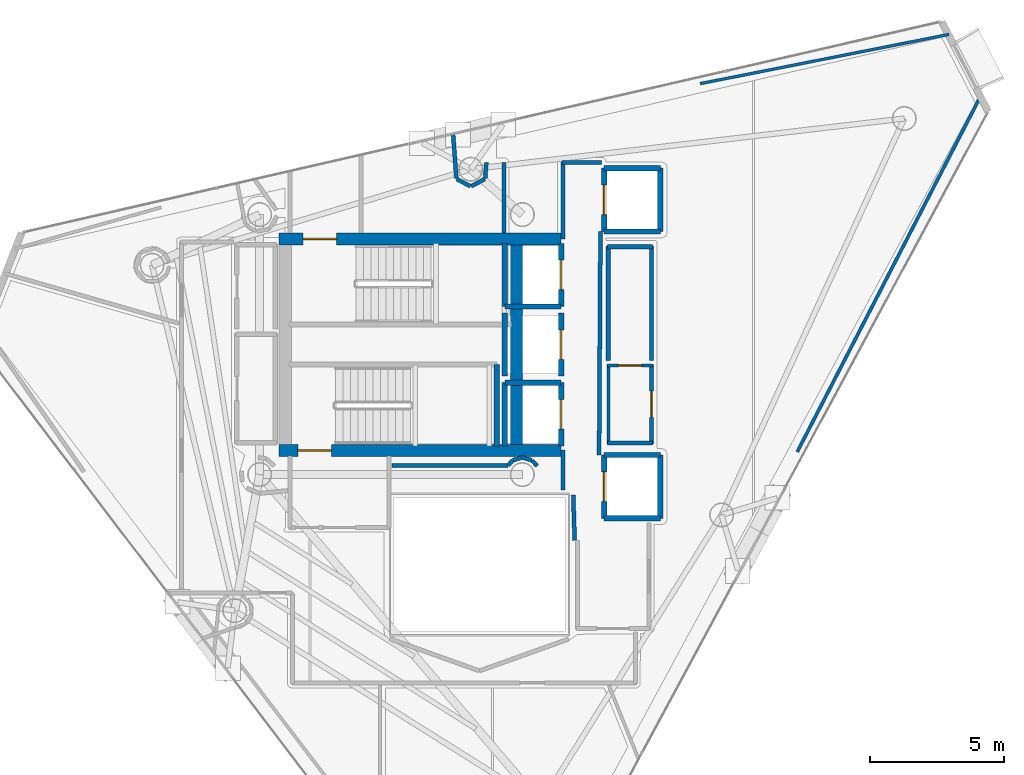
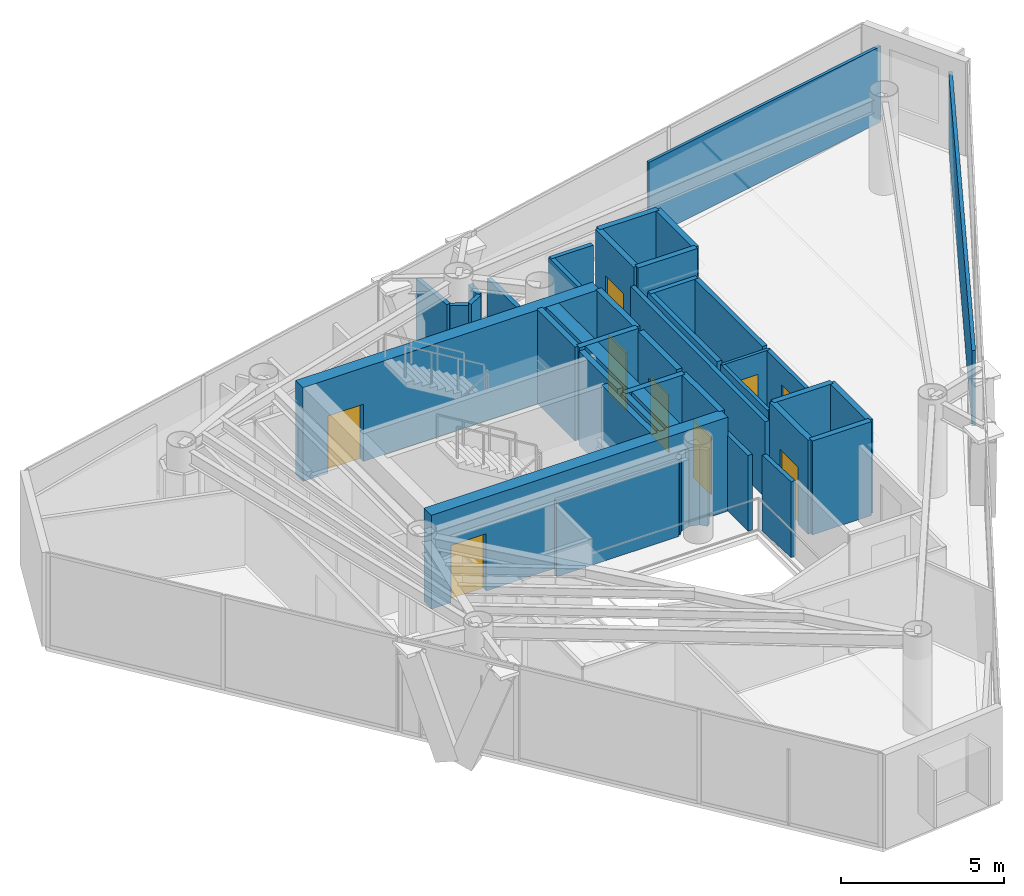
# One storey, part 20 of 24: 44 walls, 9 doors, 9 openings.
"""IFC4 building model written with IfcOpenShell, lengths in metres."""

import ifcopenshell
import ifcopenshell.guid

model = None  # the IFC model being written
_history = None  # IfcOwnerHistory: only IFC2X3 demands one
_inside = {}  # id of a spatial element -> (the spatial element, [elements in it])
_under = {}  # id of a project, library or spatial element -> (it, [spatial elements below it])
_declared = {}  # id of a project -> (the project, [libraries it declares])
_typed = {}  # id of a type object -> (the type object, [elements of that type])
_made_of = {}  # id of a material, layer set ... -> (it, [elements and type objects made of it])


def new_model(schema):
    """Start an empty IFC model of exactly this schema.

    Asked for "IFC4X3", IfcOpenShell would pick the latest addendum, in which some entities
    have other attributes; the version numbers below select the first issue.
    IFC2X3 requires an IfcOwnerHistory on every rooted entity: one is made here for all.
    """
    global model, _history
    if schema == "IFC4X3":
        model = ifcopenshell.file(schema_version=(4, 3, 0, 0))
    else:
        model = ifcopenshell.file(schema=schema)
    _inside.clear()
    _under.clear()
    _declared.clear()
    _typed.clear()
    _made_of.clear()
    _history = None
    if model.schema == "IFC2X3":
        org = make("IfcOrganization", Name="unknown")
        user = make(
            "IfcPersonAndOrganization",
            ThePerson=make("IfcPerson", FamilyName="unknown"),
            TheOrganization=org,
        )
        app = make(
            "IfcApplication",
            ApplicationDeveloper=org,
            Version="unknown",
            ApplicationFullName="unknown",
            ApplicationIdentifier="unknown",
        )
        _history = make(
            "IfcOwnerHistory",
            OwningUser=user,
            OwningApplication=app,
            ChangeAction="ADDED",
            CreationDate=0,
        )
    return model


def make(cls, **values):
    """One entity of the class cls with the attributes given. An attribute that is None is left unset."""
    return model.create_entity(
        cls, **{name: value for name, value in values.items() if value is not None}
    )


def rooted(cls, **values):
    """An entity with a GlobalId (a new one), such as an element, a storey or a relation."""
    return make(cls, GlobalId=ifcopenshell.guid.new(), OwnerHistory=_history, **values)


def si_unit(unit_type, name, prefix=None):
    """IfcSIUnit, for example si_unit("LENGTHUNIT", "METRE", prefix="MILLI")."""
    return make("IfcSIUnit", UnitType=unit_type, Prefix=prefix, Name=name)


def assignment(units):
    """IfcUnitAssignment: the units of a project."""
    return None if units is None else make("IfcUnitAssignment", Units=units)


def point(xyz):
    """IfcCartesianPoint."""
    return None if xyz is None else make("IfcCartesianPoint", Coordinates=xyz)


def direction(xyz):
    """IfcDirection."""
    return None if xyz is None else make("IfcDirection", DirectionRatios=xyz)


def frame(location, z_axis=None, x_axis=None):
    """IfcAxis2Placement3D, a coordinate frame: its origin and axes. An axis left out is left unset."""
    return make(
        "IfcAxis2Placement3D",
        Location=point(location),
        Axis=direction(z_axis),
        RefDirection=direction(x_axis),
    )


def frame_2d(location, x_axis=None):
    """IfcAxis2Placement2D, a coordinate frame in the plane: its origin and x axis."""
    return make(
        "IfcAxis2Placement2D", Location=point(location), RefDirection=direction(x_axis)
    )


def origin():
    """The frame at (0, 0, 0) with its axes left unset."""
    return frame((0.0, 0.0, 0.0))


def place(relative_to, where):
    """IfcLocalPlacement: puts the frame where relative to a parent placement (None: the world)."""
    return make(
        "IfcLocalPlacement", PlacementRelTo=relative_to, RelativePlacement=where
    )


def context(
    kind, dimensions, precision=None, world=None, true_north=None, identifier=None
):
    """IfcGeometricRepresentationContext, for example the 3D "Model" context."""
    return make(
        "IfcGeometricRepresentationContext",
        ContextIdentifier=identifier,
        ContextType=kind,
        CoordinateSpaceDimension=dimensions,
        Precision=precision,
        WorldCoordinateSystem=world,
        TrueNorth=true_north,
    )


def subcontext(parent, identifier, kind, view, scale=None):
    """IfcGeometricRepresentationSubContext, for example "Body" below "Model"."""
    return make(
        "IfcGeometricRepresentationSubContext",
        ContextIdentifier=identifier,
        ContextType=kind,
        ParentContext=parent,
        TargetScale=scale,
        TargetView=view,
    )


def project(units=None, contexts=None):
    """IfcProject with its units and contexts."""
    return rooted(
        "IfcProject",
        Name="project",
        RepresentationContexts=contexts,
        UnitsInContext=assignment(units),
    )


def spatial(cls, under=None, at=None, **own):
    """A site, building, storey or space (cls), placed at a placement, below another one or the project."""
    s = rooted(cls, ObjectPlacement=at, **own)
    if under is not None:
        _under.setdefault(under.id(), (under, []))[1].append(s)
    return s


def profile(cls, at=None, kind="AREA", **sizes):
    """A parametric profile (cls). Its sizes go by their IFC names, for example OverallWidth=200.0."""
    return make(cls, ProfileType=kind, Position=at, **sizes)


def rectangle(**sizes):
    """IfcRectangleProfileDef."""
    return profile("IfcRectangleProfileDef", **sizes)


def extrude(swept, where, along, depth):
    """IfcExtrudedAreaSolid: the profile swept, set in the frame where, extruded along a direction by depth."""
    return make(
        "IfcExtrudedAreaSolid",
        SweptArea=swept,
        Position=where,
        ExtrudedDirection=direction(along),
        Depth=depth,
    )


def shape(context_of_items, identifier, shape_type, items):
    """IfcShapeRepresentation: the items that make up one representation, for example the "Body"."""
    return make(
        "IfcShapeRepresentation",
        ContextOfItems=context_of_items,
        RepresentationIdentifier=identifier,
        RepresentationType=shape_type,
        Items=items,
    )


def material(Name=None, Category=None):
    """IfcMaterial."""
    return make("IfcMaterial", Name=Name, Category=Category)


def layer(
    of_material, thickness, ventilated=None, Name=None, Category=None, Priority=None
):
    """IfcMaterialLayer: one layer of a wall or slab, of a material (None: an air gap)."""
    return make(
        "IfcMaterialLayer",
        Material=of_material,
        LayerThickness=thickness,
        IsVentilated=ventilated,
        Name=Name,
        Category=Category,
        Priority=Priority,
    )


def layer_set(layers, Name=None):
    """IfcMaterialLayerSet."""
    return make("IfcMaterialLayerSet", MaterialLayers=layers, LayerSetName=Name)


def made_of(thing, what):
    """Note that an element or type object is made of a material, layer set ...; save() writes the relation."""
    if what is not None:
        _made_of.setdefault(what.id(), (what, []))[1].append(thing)
    return thing


def type_object(cls, material=None, **own):
    """A type object (cls), such as IfcWallType, which elements share."""
    return made_of(rooted(cls, **own), material)


def element(
    cls,
    number,
    at=None,
    inside=None,
    cuts=None,
    type_object=None,
    material=None,
    context=None,
    identifier="Body",
    shape_type=None,
    held_by="IfcProductDefinitionShape",
    body=None,
    shapes=None,
    **own,
):
    """One element of the class cls, such as IfcWall. Its Tag is "e" and its number.

    at: its placement. inside: the storey or other place that contains it. cuts: it is an
    opening in that element (IfcRelVoidsElement). A single representation is given by context,
    identifier, shape_type and body (its items); several are given by shapes. held_by: the class
    of the entity that holds the representations. save() writes the other relations.
    """
    e = rooted(cls, Tag="e%d" % number, ObjectPlacement=at, **own)
    if body is not None:
        shapes = [shape(context, identifier, shape_type, body)]
    if shapes is not None:
        e.Representation = make(held_by, Representations=shapes)
    if inside is not None:
        _inside.setdefault(inside.id(), (inside, []))[1].append(e)
    if cuts is not None:
        rooted(
            "IfcRelVoidsElement", RelatingBuildingElement=cuts, RelatedOpeningElement=e
        )
    if type_object is not None:
        _typed.setdefault(type_object.id(), (type_object, []))[1].append(e)
    return made_of(e, material)


def fill(opening, filler):
    """IfcRelFillsElement: the door or window that sits in an opening."""
    return rooted(
        "IfcRelFillsElement",
        RelatingOpeningElement=opening,
        RelatedBuildingElement=filler,
    )


def aggregate(whole, parts):
    """IfcRelAggregates: a whole, such as a stair, and the parts it consists of."""
    return rooted("IfcRelAggregates", RelatingObject=whole, RelatedObjects=parts)


def save(model, path):
    """Write the relations noted so far, then the file.

    IfcRelAggregates (storeys below a building ...), IfcRelContainedInSpatialStructure (elements
    in a storey), IfcRelDefinesByType, IfcRelAssociatesMaterial and IfcRelDeclares: one each for
    every whole, place, type object, material and project.
    """
    for whole, parts in _under.values():
        aggregate(whole, parts)
    for where, things in _inside.values():
        rooted(
            "IfcRelContainedInSpatialStructure",
            RelatedElements=things,
            RelatingStructure=where,
        )
    for kind, things in _typed.values():
        rooted("IfcRelDefinesByType", RelatedObjects=things, RelatingType=kind)
    for what, things in _made_of.values():
        rooted("IfcRelAssociatesMaterial", RelatedObjects=things, RelatingMaterial=what)
    for by, libraries in _declared.values():
        rooted("IfcRelDeclares", RelatingContext=by, RelatedDefinitions=libraries)
    model.write(path)


model = new_model("IFC4")

# Units and contexts
model_context = context("Model", 3, precision=1e-05, world=origin(), true_north=direction((0.0, 1.0)))
body_context = subcontext(model_context, "Body", "Model", "MODEL_VIEW")
ifc_project = project(units=[si_unit("LENGTHUNIT", "METRE"), si_unit("AREAUNIT", "SQUARE_METRE"), si_unit("VOLUMEUNIT", "CUBIC_METRE"), si_unit("PLANEANGLEUNIT", "RADIAN"), si_unit("MASSUNIT", "GRAM", prefix="KILO")], contexts=[model_context])

# Site, building, storey
site_placement = place(None, origin())
site = spatial("IfcSite", under=ifc_project, at=site_placement, CompositionType="ELEMENT")
building_placement = place(site_placement, origin())
building = spatial("IfcBuilding", under=site, at=building_placement, Name="Qianvela Tower", CompositionType="ELEMENT")
storey_placement = place(building_placement, frame((0.0, 0.0, 306.5)))
storey = spatial("IfcBuildingStorey", under=building, at=storey_placement, Name="L79", CompositionType="ELEMENT", Elevation=306.5)

# Wall, opening, door
ifc_material_1 = material(Name="Concrete C50", Category="concrete")
ifc_layer_1 = layer(ifc_material_1, 0.449951171875)
ifc_layer_set_1 = layer_set([ifc_layer_1], Name="Concrete C50")
wall_type_1 = type_object("IfcWallType", Name="WT-CORE-450", PredefinedType="SHEAR", material=ifc_layer_set_1)
wall_1_placement = place(storey_placement, frame((29.330078125, 32.64501953125, 0.0), z_axis=(0.0, 0.0, 1.0), x_axis=(1.0, 0.0, 0.0)))
wall_1 = element("IfcWall", 1, at=wall_1_placement, inside=storey, type_object=wall_type_1, Name="L79 North Core Shear Wall", PredefinedType="SHEAR", context=body_context, shape_type="SweptSolid", body=[
    extrude(rectangle(XDim=10.52001953125, YDim=0.449951171875, at=frame_2d((5.260009765625, 0.0))), origin(), (0.0, 0.0, 1.0), 3.52001953125),
])
opening_1_placement = place(wall_1_placement, frame((0.89501953125, 0.0, 0.0)))
opening_1 = element("IfcOpeningElement", 2, at=opening_1_placement, cuts=wall_1, Name="Opening D-ST1", PredefinedType="OPENING", context=body_context, shape_type="SweptSolid", body=[
    extrude(rectangle(XDim=1.25, YDim=2.14990234375, at=frame_2d((0.625, 1.074951171875))), frame((0.0, 0.23486328125, 0.0), z_axis=(0.0, -1.0, 0.0), x_axis=(1.0, 0.0, 0.0)), (0.0, 0.0, 1.0), 0.469970703125),
])
ifc_material_2 = material(Name="Galvanised Fire Steel Q355B", Category="steel")
door_type_1 = type_object("IfcDoorType", Name="DT-STAIR-FD90", OperationType="NOTDEFINED", PredefinedType="DOOR", material=ifc_material_2)
door_1_placement = place(opening_1_placement, origin())
door_1 = element("IfcDoor", 3, at=door_1_placement, inside=storey, type_object=door_type_1, Name="L79 Stair ST-1 Exit Door", OperationType="SINGLE_SWING_RIGHT", OverallHeight=2.14990234375, OverallWidth=1.25, PredefinedType="DOOR", context=body_context, shape_type="SweptSolid", body=[
    extrude(rectangle(XDim=1.25, YDim=2.14990234375, at=frame_2d((0.625, 1.074951171875))), frame((0.0, 0.02490234375, 0.0), z_axis=(0.0, -1.0, 0.0), x_axis=(1.0, 0.0, 0.0)), (0.0, 0.0, 1.0), 0.050048828125),
])
fill(opening_1, door_1)

wall_2_placement = place(storey_placement, frame((29.330078125, 24.7548828125, 0.0), z_axis=(0.0, 0.0, 1.0), x_axis=(1.0, 0.0, 0.0)))
wall_2 = element("IfcWall", 4, at=wall_2_placement, inside=storey, type_object=wall_type_1, Name="L79 South Core Shear Wall", PredefinedType="SHEAR", context=body_context, shape_type="SweptSolid", body=[
    extrude(rectangle(XDim=10.52001953125, YDim=0.449951171875, at=frame_2d((5.260009765625, 0.0))), origin(), (0.0, 0.0, 1.0), 3.52001953125),
])
opening_2_placement = place(wall_2_placement, frame((0.695068359375, 0.0, 0.0)))
opening_2 = element("IfcOpeningElement", 5, at=opening_2_placement, cuts=wall_2, Name="Opening D-ST1", PredefinedType="OPENING", context=body_context, shape_type="SweptSolid", body=[
    extrude(rectangle(XDim=1.25, YDim=2.14990234375, at=frame_2d((0.625, 1.074951171875))), frame((0.0, 0.23486328125, 0.0), z_axis=(0.0, -1.0, 0.0), x_axis=(1.0, 0.0, 0.0)), (0.0, 0.0, 1.0), 0.469970703125),
])
door_2_placement = place(opening_2_placement, origin())
door_2 = element("IfcDoor", 6, at=door_2_placement, inside=storey, type_object=door_type_1, Name="L79 Stair ST-2 Exit Door", OperationType="SINGLE_SWING_LEFT", OverallHeight=2.14990234375, OverallWidth=1.25, PredefinedType="DOOR", context=body_context, shape_type="SweptSolid", body=[
    extrude(rectangle(XDim=1.25, YDim=2.14990234375, at=frame_2d((0.625, 1.074951171875))), frame((0.0, 0.02490234375, 0.0), z_axis=(0.0, -1.0, 0.0), x_axis=(1.0, 0.0, 0.0)), (0.0, 0.0, 1.0), 0.050048828125),
])
fill(opening_2, door_2)

# Walls
wall_3_placement = place(storey_placement, frame((38.179931640625, 24.97998046875, 0.0), z_axis=(0.0, 0.0, 1.0), x_axis=(0.0, 1.0, 0.0)))
element("IfcWall", 7, at=wall_3_placement, inside=storey, type_object=wall_type_1, Name="L79 East Spine Core Shear Wall", PredefinedType="SHEAR", context=body_context, shape_type="SweptSolid", body=[
    extrude(rectangle(XDim=7.43994140625, YDim=0.449951171875, at=frame_2d((3.719970703125, 0.0))), origin(), (0.0, 0.0, 1.0), 3.52001953125),
])
ifc_material_3 = material(Name="Fire-Rated Acoustic Gypsum Board")
ifc_layer_2 = layer(ifc_material_3, 0.14990234375)
ifc_layer_set_2 = layer_set([ifc_layer_2], Name="Fire-Rated Acoustic Gypsum Board")
wall_type_2 = type_object("IfcWallType", Name="WT-CORR-150", PredefinedType="PARTITIONING", material=ifc_layer_set_2)
wall_4_placement = place(storey_placement, frame((40.35107421875, 21.40087890625, 0.0), z_axis=(0.0, 0.0, 1.0), x_axis=(-0.031058045979, 0.999517582527, 0.0)))
element("IfcWall", 8, at=wall_4_placement, inside=storey, type_object=wall_type_2, Name="L79 Partition 9", PredefinedType="PARTITIONING", context=body_context, shape_type="SweptSolid", body=[
    extrude(rectangle(XDim=1.68212890625, YDim=0.14990234375, at=frame_2d((0.841064453125, 0.0))), origin(), (0.0, 0.0, 1.0), 2.840087890625),
])
wall_5_placement = place(storey_placement, frame((39.910888671875, 23.280029296875, 0.0), z_axis=(0.0, 0.0, 1.0), x_axis=(0.0, 1.0, 0.0)))
element("IfcWall", 9, at=wall_5_placement, inside=storey, type_object=wall_type_2, Name="L79 Partition 10", PredefinedType="PARTITIONING", context=body_context, shape_type="SweptSolid", body=[
    extrude(rectangle(XDim=1.47998046875, YDim=0.14990234375, at=frame_2d((0.739990234375, 0.0))), origin(), (0.0, 0.0, 1.0), 2.840087890625),
])
wall_6_placement = place(storey_placement, frame((39.910888671875, 32.639892578125, 0.0), z_axis=(0.0, 0.0, 1.0), x_axis=(0.0, 1.0, 0.0)))
element("IfcWall", 10, at=wall_6_placement, inside=storey, type_object=wall_type_2, Name="L79 Partition 12", PredefinedType="PARTITIONING", context=body_context, shape_type="SweptSolid", body=[
    extrude(rectangle(XDim=2.880126953125, YDim=0.14990234375, at=frame_2d((1.43994140625, 0.0))), origin(), (0.0, 0.0, 1.0), 2.840087890625),
])
wall_7_placement = place(storey_placement, frame((39.8798828125, 35.489013671875, 0.0), z_axis=(0.0, 0.0, 1.0), x_axis=(1.0, 0.0, 0.0)))
element("IfcWall", 11, at=wall_7_placement, inside=storey, type_object=wall_type_2, Name="L79 Partition 13", PredefinedType="PARTITIONING", context=body_context, shape_type="SweptSolid", body=[
    extrude(rectangle(XDim=1.480224609375, YDim=0.14990234375, at=frame_2d((0.740234375, 0.0))), origin(), (0.0, 0.0, 1.0), 2.840087890625),
])
wall_8_placement = place(storey_placement, frame((41.3134765625, 32.919921875, 0.0), z_axis=(0.0, 0.0, 1.0), x_axis=(-0.005942518022, -0.999982343084, 0.0)))
element("IfcWall", 12, at=wall_8_placement, inside=storey, type_object=wall_type_2, Name="L79 Partition 14 seg 2", PredefinedType="PARTITIONING", context=body_context, shape_type="SweptSolid", body=[
    extrude(rectangle(XDim=8.340087890625, YDim=0.14990234375, at=frame_2d((4.169921875, 0.0))), origin(), (0.0, 0.0, 1.0), 2.840087890625),
])
wall_9_placement = place(storey_placement, frame((38.950927734375, 24.1708984375, 0.0), z_axis=(0.0, 0.0, 1.0), x_axis=(-0.674186852077, 0.738560822469, 0.0)))
element("IfcWall", 13, at=wall_9_placement, inside=storey, type_object=wall_type_2, Name="L79 Partition 37", PredefinedType="PARTITIONING", context=body_context, shape_type="SweptSolid", body=[
    extrude(rectangle(XDim=0.28076171875, YDim=0.14990234375, at=frame_2d((0.140380859375, 0.0))), origin(), (0.0, 0.0, 1.0), 2.840087890625),
])
wall_10_placement = place(storey_placement, frame((38.747802734375, 24.386962890625, 0.0), z_axis=(0.0, 0.0, 1.0), x_axis=(-0.956948991291, 0.290256142171, 0.0)))
element("IfcWall", 14, at=wall_10_placement, inside=storey, type_object=wall_type_2, Name="L79 Partition 38", PredefinedType="PARTITIONING", context=body_context, shape_type="SweptSolid", body=[
    extrude(rectangle(XDim=0.35400390625, YDim=0.14990234375, at=frame_2d((0.177001953125, 0.0))), origin(), (0.0, 0.0, 1.0), 2.840087890625),
])
wall_11_placement = place(storey_placement, frame((38.39111328125, 24.48974609375, 0.0), z_axis=(0.0, 0.0, 1.0), x_axis=(-0.957007018611, -0.290064762301, 0.0)))
element("IfcWall", 15, at=wall_11_placement, inside=storey, type_object=wall_type_2, Name="L79 Partition 39", PredefinedType="PARTITIONING", context=body_context, shape_type="SweptSolid", body=[
    extrude(rectangle(XDim=0.354248046875, YDim=0.14990234375, at=frame_2d((0.17724609375, 0.0))), origin(), (0.0, 0.0, 1.0), 2.840087890625),
])
wall_12_placement = place(storey_placement, frame((38.0380859375, 24.378173828125, 0.0), z_axis=(0.0, 0.0, 1.0), x_axis=(-0.673658387955, -0.739042878551, 0.0)))
element("IfcWall", 16, at=wall_12_placement, inside=storey, type_object=wall_type_2, Name="L79 Partition 40", PredefinedType="PARTITIONING", context=body_context, shape_type="SweptSolid", body=[
    extrude(rectangle(XDim=0.246337890625, YDim=0.14990234375, at=frame_2d((0.123046875, 0.0))), origin(), (0.0, 0.0, 1.0), 2.840087890625),
])
wall_13_placement = place(storey_placement, frame((37.8720703125, 24.180908203125, 0.0), z_axis=(0.0, 0.0, 1.0), x_axis=(-1.0, 0.0, 0.0)))
element("IfcWall", 17, at=wall_13_placement, inside=storey, type_object=wall_type_2, Name="L79 Partition 41", PredefinedType="PARTITIONING", context=body_context, shape_type="SweptSolid", body=[
    extrude(rectangle(XDim=4.342041015625, YDim=0.14990234375, at=frame_2d((2.1708984375, 0.0))), origin(), (0.0, 0.0, 1.0), 2.840087890625),
])
wall_14_placement = place(storey_placement, frame((35.814208984375, 36.585205078125, 0.0), z_axis=(0.0, 0.0, 1.0), x_axis=(0.073333558688, -0.997307469725, 0.0)))
element("IfcWall", 18, at=wall_14_placement, inside=storey, type_object=wall_type_2, Name="L79 Partition 56", PredefinedType="PARTITIONING", context=body_context, shape_type="SweptSolid", body=[
    extrude(rectangle(XDim=1.68798828125, YDim=0.14990234375, at=frame_2d((0.843994140625, 0.0))), origin(), (0.0, 0.0, 1.0), 2.840087890625),
])
for number, where, z_axis, x_axis, name in (
    (19, (35.9541015625, 34.876708984375, 0.0), (0.0, 0.0, 1.0), (0.882047254832, -0.471160949405, 0.0), "L79 Partition 57"),
    (20, (36.490478515625, 34.605712890625, 0.0), (0.0, 0.0, 1.0), (0.882047254832, 0.471160949405, 0.0), "L79 Partition 58"),
):
    element("IfcWall", number, at=place(storey_placement, frame(where, z_axis=z_axis, x_axis=x_axis)), inside=storey, type_object=wall_type_2, Name=name, PredefinedType="PARTITIONING", context=body_context, shape_type="SweptSolid", body=[
        extrude(rectangle(XDim=0.5751953125, YDim=0.14990234375, at=frame_2d((0.28759765625, 0.0))), origin(), (0.0, 0.0, 1.0), 2.840087890625),
    ])
wall_15_placement = place(storey_placement, frame((37.01416015625, 34.90185546875, 0.0), z_axis=(0.0, 0.0, 1.0), x_axis=(0.073134230676, 0.997322106595, 0.0)))
element("IfcWall", 21, at=wall_15_placement, inside=storey, type_object=wall_type_2, Name="L79 Partition 59", PredefinedType="PARTITIONING", context=body_context, shape_type="SweptSolid", body=[
    extrude(rectangle(XDim=0.59765625, YDim=0.14990234375, at=frame_2d((0.298828125, 0.0))), origin(), (0.0, 0.0, 1.0), 2.840087890625),
])
wall_16_placement = place(storey_placement, frame((37.718994140625, 35.5, 0.0), z_axis=(0.0, 0.0, 1.0), x_axis=(0.0, -1.0, 0.0)))
element("IfcWall", 22, at=wall_16_placement, inside=storey, type_object=wall_type_2, Name="L79 Partition 61", PredefinedType="PARTITIONING", context=body_context, shape_type="SweptSolid", body=[
    extrude(rectangle(XDim=2.64208984375, YDim=0.14990234375, at=frame_2d((1.321044921875, 0.0))), origin(), (0.0, 0.0, 1.0), 2.840087890625),
])

# Wall, opening, door
ifc_material_4 = material(Name="Lightweight Gypsum Room Partition")
ifc_layer_3 = layer(ifc_material_4, 0.10498046875)
ifc_layer_set_3 = layer_set([ifc_layer_3], Name="Lightweight Gypsum Room Partition")
wall_type_3 = type_object("IfcWallType", Name="WT-PART-105", PredefinedType="PARTITIONING", material=ifc_layer_set_3)
wall_17_placement = place(storey_placement, frame((41.580078125, 27.9189453125, 0.0), z_axis=(0.0, 0.0, 1.0), x_axis=(1.0, 0.0, 0.0)))
wall_17 = element("IfcWall", 23, at=wall_17_placement, inside=storey, type_object=wall_type_3, Name="L79 Partition 21", PredefinedType="PARTITIONING", context=body_context, shape_type="SweptSolid", body=[
    extrude(rectangle(XDim=1.669921875, YDim=0.10498046875, at=frame_2d((0.8349609375, 0.0))), origin(), (0.0, 0.0, 1.0), 2.840087890625),
])
opening_3_placement = place(wall_17_placement, frame((0.405029296875, 0.0, 0.0)))
opening_3 = element("IfcOpeningElement", 24, at=opening_3_placement, cuts=wall_17, Name="Opening D-WC1", PredefinedType="OPENING", context=body_context, shape_type="SweptSolid", body=[
    extrude(rectangle(XDim=0.860107421875, YDim=2.050048828125, at=frame_2d((0.43017578125, 1.02490234375))), frame((0.0, 0.0625, 0.0), z_axis=(0.0, -1.0, 0.0), x_axis=(1.0, 0.0, 0.0)), (0.0, 0.0, 1.0), 0.125),
])
ifc_material_5 = material(Name="Moisture-Sealed Acoustic Timber Door", Category="wood")
door_type_2 = type_object("IfcDoorType", Name="DT-WC-860", OperationType="NOTDEFINED", PredefinedType="DOOR", material=ifc_material_5)
door_3_placement = place(opening_3_placement, origin())
door_3 = element("IfcDoor", 25, at=door_3_placement, inside=storey, type_object=door_type_2, Name="L79 Door L79 Accessible WC to L79 Cleaner Store", OperationType="SINGLE_SWING_RIGHT", OverallHeight=2.050048828125, OverallWidth=0.860107421875, PredefinedType="DOOR", context=body_context, shape_type="SweptSolid", body=[
    extrude(rectangle(XDim=0.860107421875, YDim=2.050048828125, at=frame_2d((0.43017578125, 1.02490234375))), frame((0.0, 0.02490234375, 0.0), z_axis=(0.0, -1.0, 0.0), x_axis=(1.0, 0.0, 0.0)), (0.0, 0.0, 1.0), 0.050048828125),
])
fill(opening_3, door_3)

# Walls
wall_18_placement = place(storey_placement, frame((45.037841796875, 38.435791015625, 0.0), z_axis=(0.0, 0.0, 1.0), x_axis=(0.980972748149, 0.194145479962, 0.0)))
element("IfcWall", 26, at=wall_18_placement, inside=storey, type_object=wall_type_3, Name="L79 Partition 99 seg 1", PredefinedType="PARTITIONING", context=body_context, shape_type="SweptSolid", body=[
    extrude(rectangle(XDim=9.460205078125, YDim=0.10498046875, at=frame_2d((4.72998046875, 0.0))), origin(), (0.0, 0.0, 1.0), 2.840087890625),
])
ifc_material_6 = material(Name="Insulated Gypsum Stud Partition")
ifc_layer_4 = layer(ifc_material_6, 0.1201171875)
ifc_layer_set_4 = layer_set([ifc_layer_4], Name="Insulated Gypsum Stud Partition")
wall_type_4 = type_object("IfcWallType", Name="WT-PART-120", PredefinedType="PARTITIONING", material=ifc_layer_set_4)
wall_19_placement = place(storey_placement, frame((41.611083984375, 25.0, 0.0), z_axis=(0.0, 0.0, 1.0), x_axis=(0.0, 1.0, 0.0)))
element("IfcWall", 27, at=wall_19_placement, inside=storey, type_object=wall_type_4, Name="L79 Partition 20", PredefinedType="PARTITIONING", context=body_context, shape_type="SweptSolid", body=[
    extrude(rectangle(XDim=2.949951171875, YDim=0.1201171875, at=frame_2d((1.47509765625, 0.0))), origin(), (0.0, 0.0, 1.0), 2.840087890625),
])
wall_20_placement = place(storey_placement, frame((55.498779296875, 37.974365234375, 0.0), z_axis=(0.0, 0.0, 1.0), x_axis=(-0.458180813105, -0.8888590116, 0.0)))
element("IfcWall", 28, at=wall_20_placement, inside=storey, type_object=wall_type_4, Name="L79 Partition 101 seg 1", PredefinedType="PARTITIONING", context=body_context, shape_type="SweptSolid", body=[
    extrude(rectangle(XDim=14.93994140625, YDim=0.1201171875, at=frame_2d((7.469970703125, 0.0))), origin(), (0.0, 0.0, 1.0), 2.840087890625),
])
ifc_material_7 = material(Name="Sanitary Service Chase Partition")
ifc_layer_5 = layer(ifc_material_7, 0.1650390625)
ifc_layer_set_5 = layer_set([ifc_layer_5], Name="Sanitary Service Chase Partition")
wall_type_5 = type_object("IfcWallType", Name="WT-PLUMB-165", PredefinedType="PLUMBINGWALL", material=ifc_layer_set_5)
wall_21_placement = place(storey_placement, frame((41.611083984375, 28.110107421875, 0.0), z_axis=(0.0, 0.0, 1.0), x_axis=(0.0, 1.0, 0.0)))
element("IfcWall", 29, at=wall_21_placement, inside=storey, type_object=wall_type_5, Name="L79 Partition 24", PredefinedType="PLUMBINGWALL", context=body_context, shape_type="SweptSolid", body=[
    extrude(rectangle(XDim=4.269775390625, YDim=0.1650390625, at=frame_2d((2.134765625, 0.0))), origin(), (0.0, 0.0, 1.0), 2.840087890625),
])
wall_22_placement = place(storey_placement, frame((41.580078125, 32.34912109375, 0.0), z_axis=(0.0, 0.0, 1.0), x_axis=(1.0, 0.0, 0.0)))
element("IfcWall", 30, at=wall_22_placement, inside=storey, type_object=wall_type_5, Name="L79 Partition 25", PredefinedType="PLUMBINGWALL", context=body_context, shape_type="SweptSolid", body=[
    extrude(rectangle(XDim=1.669921875, YDim=0.1650390625, at=frame_2d((0.8349609375, 0.0))), origin(), (0.0, 0.0, 1.0), 2.840087890625),
])
wall_23_placement = place(storey_placement, frame((43.218994140625, 32.3798828125, 0.0), z_axis=(0.0, 0.0, 1.0), x_axis=(0.0, -1.0, 0.0)))
element("IfcWall", 31, at=wall_23_placement, inside=storey, type_object=wall_type_5, Name="L79 Partition 26", PredefinedType="PLUMBINGWALL", context=body_context, shape_type="SweptSolid", body=[
    extrude(rectangle(XDim=4.269775390625, YDim=0.1650390625, at=frame_2d((2.134765625, 0.0))), origin(), (0.0, 0.0, 1.0), 2.840087890625),
])
ifc_material_8 = material(Name="Acoustic Double Gypsum Stud Partition")
ifc_layer_6 = layer(ifc_material_8, 0.139892578125)
ifc_layer_set_6 = layer_set([ifc_layer_6], Name="Acoustic Double Gypsum Stud Partition")
wall_type_6 = type_object("IfcWallType", Name="WT-ROOM-140", PredefinedType="PARTITIONING", material=ifc_layer_set_6)
wall_24_placement = place(storey_placement, frame((43.25, 25.031005859375, 0.0), z_axis=(0.0, 0.0, 1.0), x_axis=(-1.0, 0.0, 0.0)))
element("IfcWall", 32, at=wall_24_placement, inside=storey, type_object=wall_type_6, Name="L79 Partition 19", PredefinedType="PARTITIONING", context=body_context, shape_type="SweptSolid", body=[
    extrude(rectangle(XDim=1.669921875, YDim=0.139892578125, at=frame_2d((0.8349609375, 0.0))), origin(), (0.0, 0.0, 1.0), 2.840087890625),
])

# Wall, opening, door
wall_25_placement = place(storey_placement, frame((43.218994140625, 27.949951171875, 0.0), z_axis=(0.0, 0.0, 1.0), x_axis=(0.0, -1.0, 0.0)))
wall_25 = element("IfcWall", 33, at=wall_25_placement, inside=storey, type_object=wall_type_6, Name="L79 Partition 22", PredefinedType="PARTITIONING", context=body_context, shape_type="SweptSolid", body=[
    extrude(rectangle(XDim=2.949951171875, YDim=0.139892578125, at=frame_2d((1.47509765625, 0.0))), origin(), (0.0, 0.0, 1.0), 2.840087890625),
])
opening_4_placement = place(wall_25_placement, frame((0.985107421875, 0.0, 0.0)))
opening_4 = element("IfcOpeningElement", 34, at=opening_4_placement, cuts=wall_25, Name="Opening D-RM1", PredefinedType="OPENING", context=body_context, shape_type="SweptSolid", body=[
    extrude(rectangle(XDim=0.97998046875, YDim=2.10009765625, at=frame_2d((0.489990234375, 1.050048828125))), frame((0.0, 0.079833984375, 0.0), z_axis=(0.0, -1.0, 0.0), x_axis=(1.0, 0.0, 0.0)), (0.0, 0.0, 1.0), 0.159912109375),
])
ifc_material_9 = material(Name="Solid Core Acoustic Timber Fire Door", Category="wood")
door_type_3 = type_object("IfcDoorType", Name="DT-ROOM-FD60", OperationType="NOTDEFINED", PredefinedType="DOOR", material=ifc_material_9)
door_4_placement = place(opening_4_placement, origin())
door_4 = element("IfcDoor", 35, at=door_4_placement, inside=storey, type_object=door_type_3, Name="L79 Door L79 Cleaner Store to Tutorial Breakout Seminar L79-02", OperationType="SINGLE_SWING_LEFT", OverallHeight=2.10009765625, OverallWidth=0.97998046875, PredefinedType="DOOR", context=body_context, shape_type="SweptSolid", body=[
    extrude(rectangle(XDim=0.97998046875, YDim=2.10009765625, at=frame_2d((0.489990234375, 1.050048828125))), frame((0.0, 0.02490234375, 0.0), z_axis=(0.0, -1.0, 0.0), x_axis=(1.0, 0.0, 0.0)), (0.0, 0.0, 1.0), 0.050048828125),
])
fill(opening_4, door_4)

# Wall
ifc_material_10 = material(Name="Concrete C50", Category="concrete")
ifc_layer_7 = layer(ifc_material_10, 0.199951171875)
ifc_layer_set_7 = layer_set([ifc_layer_7], Name="Concrete C50")
wall_type_7 = type_object("IfcWallType", Name="WT-SHAFT-200", PredefinedType="SOLIDWALL", material=ifc_layer_set_7)
wall_26_placement = place(storey_placement, frame((37.449951171875, 24.89990234375, 0.0), z_axis=(0.0, 0.0, 1.0), x_axis=(0.0, 1.0, 0.0)))
element("IfcWall", 36, at=wall_26_placement, inside=storey, type_object=wall_type_7, Name="L79 Stair ST-2 East Wall", PredefinedType="SOLIDWALL", context=body_context, shape_type="SweptSolid", body=[
    extrude(rectangle(XDim=3.06005859375, YDim=0.199951171875, at=frame_2d((1.530029296875, 0.0))), origin(), (0.0, 0.0, 1.0), 3.52001953125),
])

# Wall, opening, door
wall_27_placement = place(storey_placement, frame((39.85009765625, 30.1201171875, 0.0), z_axis=(0.0, 0.0, 1.0), x_axis=(0.0, 1.0, 0.0)))
wall_27 = element("IfcWall", 37, at=wall_27_placement, inside=storey, type_object=wall_type_7, Name="L79 Lift FL-1 E Shaft Wall", PredefinedType="SOLIDWALL", context=body_context, shape_type="SweptSolid", body=[
    extrude(rectangle(XDim=2.35986328125, YDim=0.199951171875, at=frame_2d((1.179931640625, 0.0))), origin(), (0.0, 0.0, 1.0), 3.52001953125),
])
opening_5_placement = place(wall_27_placement, frame((0.6298828125, 0.0, 0.0)))
opening_5 = element("IfcOpeningElement", 38, at=opening_5_placement, cuts=wall_27, Name="Opening LD-01", PredefinedType="OPENING", context=body_context, shape_type="SweptSolid", body=[
    extrude(rectangle(XDim=1.10009765625, YDim=2.14990234375, at=frame_2d((0.550048828125, 1.074951171875))), frame((0.0, 0.10986328125, 0.0), z_axis=(0.0, -1.0, 0.0), x_axis=(1.0, 0.0, 0.0)), (0.0, 0.0, 1.0), 0.219970703125),
])
ifc_material_11 = material(Name="Brushed Stainless Steel Lift Landing Door", Category="steel")
door_type_4 = type_object("IfcDoorType", Name="DT-LIFT-SLIDE-1100", OperationType="SLIDING_TO_LEFT", PredefinedType="DOOR", material=ifc_material_11)
door_5_placement = place(opening_5_placement, origin())
door_5 = element("IfcDoor", 39, at=door_5_placement, inside=storey, type_object=door_type_4, Name="L79 Lift FL-1 Sliding Landing Door", OperationType="SLIDING_TO_LEFT", OverallHeight=2.14990234375, OverallWidth=1.10009765625, PredefinedType="DOOR", context=body_context, shape_type="SweptSolid", body=[
    extrude(rectangle(XDim=1.10009765625, YDim=2.14990234375, at=frame_2d((0.550048828125, 1.074951171875))), frame((0.0, 0.02490234375, 0.0), z_axis=(0.0, -1.0, 0.0), x_axis=(1.0, 0.0, 0.0)), (0.0, 0.0, 1.0), 0.050048828125),
])
fill(opening_5, door_5)

# Walls
wall_28_placement = place(storey_placement, frame((37.75, 30.1201171875, 0.0), z_axis=(0.0, 0.0, 1.0), x_axis=(0.0, 1.0, 0.0)))
element("IfcWall", 40, at=wall_28_placement, inside=storey, type_object=wall_type_7, Name="L79 Lift FL-1 W Shaft Wall", PredefinedType="SOLIDWALL", context=body_context, shape_type="SweptSolid", body=[
    extrude(rectangle(XDim=2.35986328125, YDim=0.199951171875, at=frame_2d((1.179931640625, 0.0))), origin(), (0.0, 0.0, 1.0), 3.52001953125),
])
wall_29_placement = place(storey_placement, frame((37.75, 30.1201171875, 0.0), z_axis=(0.0, 0.0, 1.0), x_axis=(1.0, 0.0, 0.0)))
element("IfcWall", 41, at=wall_29_placement, inside=storey, type_object=wall_type_7, Name="L79 Lift FL-1 S Shaft Wall", PredefinedType="SOLIDWALL", context=body_context, shape_type="SweptSolid", body=[
    extrude(rectangle(XDim=2.10009765625, YDim=0.199951171875, at=frame_2d((1.050048828125, 0.0))), origin(), (0.0, 0.0, 1.0), 3.52001953125),
])

# Wall, opening, door
wall_30_placement = place(storey_placement, frame((39.85009765625, 24.919921875, 0.0), z_axis=(0.0, 0.0, 1.0), x_axis=(0.0, 1.0, 0.0)))
wall_30 = element("IfcWall", 42, at=wall_30_placement, inside=storey, type_object=wall_type_7, Name="L79 Lift FL-2 E Shaft Wall", PredefinedType="SOLIDWALL", context=body_context, shape_type="SweptSolid", body=[
    extrude(rectangle(XDim=2.360107421875, YDim=0.199951171875, at=frame_2d((1.18017578125, 0.0))), origin(), (0.0, 0.0, 1.0), 3.52001953125),
])
opening_6_placement = place(wall_30_placement, frame((0.6298828125, 0.0, 0.0)))
opening_6 = element("IfcOpeningElement", 43, at=opening_6_placement, cuts=wall_30, Name="Opening LD-01", PredefinedType="OPENING", context=body_context, shape_type="SweptSolid", body=[
    extrude(rectangle(XDim=1.10009765625, YDim=2.14990234375, at=frame_2d((0.550048828125, 1.074951171875))), frame((0.0, 0.10986328125, 0.0), z_axis=(0.0, -1.0, 0.0), x_axis=(1.0, 0.0, 0.0)), (0.0, 0.0, 1.0), 0.219970703125),
])
door_6_placement = place(opening_6_placement, origin())
door_6 = element("IfcDoor", 44, at=door_6_placement, inside=storey, type_object=door_type_4, Name="L79 Lift FL-2 Sliding Landing Door", OperationType="SLIDING_TO_LEFT", OverallHeight=2.14990234375, OverallWidth=1.10009765625, PredefinedType="DOOR", context=body_context, shape_type="SweptSolid", body=[
    extrude(rectangle(XDim=1.10009765625, YDim=2.14990234375, at=frame_2d((0.550048828125, 1.074951171875))), frame((0.0, 0.02490234375, 0.0), z_axis=(0.0, -1.0, 0.0), x_axis=(1.0, 0.0, 0.0)), (0.0, 0.0, 1.0), 0.050048828125),
])
fill(opening_6, door_6)

# Walls
wall_31_placement = place(storey_placement, frame((37.75, 24.919921875, 0.0), z_axis=(0.0, 0.0, 1.0), x_axis=(0.0, 1.0, 0.0)))
element("IfcWall", 45, at=wall_31_placement, inside=storey, type_object=wall_type_7, Name="L79 Lift FL-2 W Shaft Wall", PredefinedType="SOLIDWALL", context=body_context, shape_type="SweptSolid", body=[
    extrude(rectangle(XDim=2.360107421875, YDim=0.199951171875, at=frame_2d((1.18017578125, 0.0))), origin(), (0.0, 0.0, 1.0), 3.52001953125),
])
wall_32_placement = place(storey_placement, frame((37.75, 27.280029296875, 0.0), z_axis=(0.0, 0.0, 1.0), x_axis=(1.0, 0.0, 0.0)))
element("IfcWall", 46, at=wall_32_placement, inside=storey, type_object=wall_type_7, Name="L79 Lift FL-2 N Shaft Wall", PredefinedType="SOLIDWALL", context=body_context, shape_type="SweptSolid", body=[
    extrude(rectangle(XDim=2.10009765625, YDim=0.199951171875, at=frame_2d((1.050048828125, 0.0))), origin(), (0.0, 0.0, 1.0), 3.52001953125),
])

# Wall, opening, door
wall_33_placement = place(storey_placement, frame((39.85009765625, 27.52001953125, 0.0), z_axis=(0.0, 0.0, 1.0), x_axis=(0.0, 1.0, 0.0)))
wall_33 = element("IfcWall", 47, at=wall_33_placement, inside=storey, type_object=wall_type_7, Name="L79 Lift PL-H1 E Shaft Wall", PredefinedType="SOLIDWALL", context=body_context, shape_type="SweptSolid", body=[
    extrude(rectangle(XDim=2.35986328125, YDim=0.199951171875, at=frame_2d((1.179931640625, 0.0))), origin(), (0.0, 0.0, 1.0), 3.52001953125),
])
opening_7_placement = place(wall_33_placement, frame((0.6298828125, 0.0, 0.0)))
opening_7 = element("IfcOpeningElement", 48, at=opening_7_placement, cuts=wall_33, Name="Opening LD-01", PredefinedType="OPENING", context=body_context, shape_type="SweptSolid", body=[
    extrude(rectangle(XDim=1.10009765625, YDim=2.14990234375, at=frame_2d((0.550048828125, 1.074951171875))), frame((0.0, 0.10986328125, 0.0), z_axis=(0.0, -1.0, 0.0), x_axis=(1.0, 0.0, 0.0)), (0.0, 0.0, 1.0), 0.219970703125),
])
door_7_placement = place(opening_7_placement, origin())
door_7 = element("IfcDoor", 49, at=door_7_placement, inside=storey, type_object=door_type_4, Name="L79 Lift PL-H1 Sliding Landing Door", OperationType="SLIDING_TO_LEFT", OverallHeight=2.14990234375, OverallWidth=1.10009765625, PredefinedType="DOOR", context=body_context, shape_type="SweptSolid", body=[
    extrude(rectangle(XDim=1.10009765625, YDim=2.14990234375, at=frame_2d((0.550048828125, 1.074951171875))), frame((0.0, 0.02490234375, 0.0), z_axis=(0.0, -1.0, 0.0), x_axis=(1.0, 0.0, 0.0)), (0.0, 0.0, 1.0), 0.050048828125),
])
fill(opening_7, door_7)

# Walls
wall_34_placement = place(storey_placement, frame((37.75, 27.52001953125, 0.0), z_axis=(0.0, 0.0, 1.0), x_axis=(0.0, 1.0, 0.0)))
element("IfcWall", 50, at=wall_34_placement, inside=storey, type_object=wall_type_7, Name="L79 Lift PL-H1 W Shaft Wall", PredefinedType="SOLIDWALL", context=body_context, shape_type="SweptSolid", body=[
    extrude(rectangle(XDim=2.35986328125, YDim=0.199951171875, at=frame_2d((1.179931640625, 0.0))), origin(), (0.0, 0.0, 1.0), 3.52001953125),
])
wall_35_placement = place(storey_placement, frame((43.550048828125, 22.219970703125, 0.0), z_axis=(0.0, 0.0, 1.0), x_axis=(0.0, 1.0, 0.0)))
element("IfcWall", 51, at=wall_35_placement, inside=storey, type_object=wall_type_7, Name="L79 Lift PL-H2 E Shaft Wall", PredefinedType="SOLIDWALL", context=body_context, shape_type="SweptSolid", body=[
    extrude(rectangle(XDim=2.360107421875, YDim=0.199951171875, at=frame_2d((1.18017578125, 0.0))), origin(), (0.0, 0.0, 1.0), 3.52001953125),
])

# Wall, opening, door
wall_36_placement = place(storey_placement, frame((41.449951171875, 22.219970703125, 0.0), z_axis=(0.0, 0.0, 1.0), x_axis=(0.0, 1.0, 0.0)))
wall_36 = element("IfcWall", 52, at=wall_36_placement, inside=storey, type_object=wall_type_7, Name="L79 Lift PL-H2 W Shaft Wall", PredefinedType="SOLIDWALL", context=body_context, shape_type="SweptSolid", body=[
    extrude(rectangle(XDim=2.360107421875, YDim=0.199951171875, at=frame_2d((1.18017578125, 0.0))), origin(), (0.0, 0.0, 1.0), 3.52001953125),
])
opening_8_placement = place(wall_36_placement, frame((0.6298828125, 0.0, 0.0)))
opening_8 = element("IfcOpeningElement", 53, at=opening_8_placement, cuts=wall_36, Name="Opening LD-01", PredefinedType="OPENING", context=body_context, shape_type="SweptSolid", body=[
    extrude(rectangle(XDim=1.10009765625, YDim=2.14990234375, at=frame_2d((0.550048828125, 1.074951171875))), frame((0.0, 0.10986328125, 0.0), z_axis=(0.0, -1.0, 0.0), x_axis=(1.0, 0.0, 0.0)), (0.0, 0.0, 1.0), 0.219970703125),
])
door_8_placement = place(opening_8_placement, origin())
door_8 = element("IfcDoor", 54, at=door_8_placement, inside=storey, type_object=door_type_4, Name="L79 Lift PL-H2 Sliding Landing Door", OperationType="SLIDING_TO_LEFT", OverallHeight=2.14990234375, OverallWidth=1.10009765625, PredefinedType="DOOR", context=body_context, shape_type="SweptSolid", body=[
    extrude(rectangle(XDim=1.10009765625, YDim=2.14990234375, at=frame_2d((0.550048828125, 1.074951171875))), frame((0.0, 0.02490234375, 0.0), z_axis=(0.0, -1.0, 0.0), x_axis=(1.0, 0.0, 0.0)), (0.0, 0.0, 1.0), 0.050048828125),
])
fill(opening_8, door_8)

# Walls
for number, where, z_axis, x_axis, name in (
    (55, (41.449951171875, 24.580078125, 0.0), (0.0, 0.0, 1.0), (1.0, 0.0, 0.0), "L79 Lift PL-H2 N Shaft Wall"),
    (56, (41.449951171875, 22.219970703125, 0.0), (0.0, 0.0, 1.0), (1.0, 0.0, 0.0), "L79 Lift PL-H2 S Shaft Wall"),
):
    element("IfcWall", number, at=place(storey_placement, frame(where, z_axis=z_axis, x_axis=x_axis)), inside=storey, type_object=wall_type_7, Name=name, PredefinedType="SOLIDWALL", context=body_context, shape_type="SweptSolid", body=[
        extrude(rectangle(XDim=2.10009765625, YDim=0.199951171875, at=frame_2d((1.050048828125, 0.0))), origin(), (0.0, 0.0, 1.0), 3.52001953125),
    ])
wall_37_placement = place(storey_placement, frame((43.550048828125, 32.919921875, 0.0), z_axis=(0.0, 0.0, 1.0), x_axis=(0.0, 1.0, 0.0)))
element("IfcWall", 57, at=wall_37_placement, inside=storey, type_object=wall_type_7, Name="L79 Lift PL-H3 E Shaft Wall", PredefinedType="SOLIDWALL", context=body_context, shape_type="SweptSolid", body=[
    extrude(rectangle(XDim=2.360107421875, YDim=0.199951171875, at=frame_2d((1.18017578125, 0.0))), origin(), (0.0, 0.0, 1.0), 3.52001953125),
])

# Wall, opening, door
wall_38_placement = place(storey_placement, frame((41.449951171875, 32.919921875, 0.0), z_axis=(0.0, 0.0, 1.0), x_axis=(0.0, 1.0, 0.0)))
wall_38 = element("IfcWall", 58, at=wall_38_placement, inside=storey, type_object=wall_type_7, Name="L79 Lift PL-H3 W Shaft Wall", PredefinedType="SOLIDWALL", context=body_context, shape_type="SweptSolid", body=[
    extrude(rectangle(XDim=2.360107421875, YDim=0.199951171875, at=frame_2d((1.18017578125, 0.0))), origin(), (0.0, 0.0, 1.0), 3.52001953125),
])
opening_9_placement = place(wall_38_placement, frame((0.6298828125, 0.0, 0.0)))
opening_9 = element("IfcOpeningElement", 59, at=opening_9_placement, cuts=wall_38, Name="Opening LD-01", PredefinedType="OPENING", context=body_context, shape_type="SweptSolid", body=[
    extrude(rectangle(XDim=1.10009765625, YDim=2.14990234375, at=frame_2d((0.550048828125, 1.074951171875))), frame((0.0, 0.10986328125, 0.0), z_axis=(0.0, -1.0, 0.0), x_axis=(1.0, 0.0, 0.0)), (0.0, 0.0, 1.0), 0.219970703125),
])
door_9_placement = place(opening_9_placement, origin())
door_9 = element("IfcDoor", 60, at=door_9_placement, inside=storey, type_object=door_type_4, Name="L79 Lift PL-H3 Sliding Landing Door", OperationType="SLIDING_TO_LEFT", OverallHeight=2.14990234375, OverallWidth=1.10009765625, PredefinedType="DOOR", context=body_context, shape_type="SweptSolid", body=[
    extrude(rectangle(XDim=1.10009765625, YDim=2.14990234375, at=frame_2d((0.550048828125, 1.074951171875))), frame((0.0, 0.02490234375, 0.0), z_axis=(0.0, -1.0, 0.0), x_axis=(1.0, 0.0, 0.0)), (0.0, 0.0, 1.0), 0.050048828125),
])
fill(opening_9, door_9)

# Walls
for number, where, z_axis, x_axis, name in (
    (61, (41.449951171875, 35.280029296875, 0.0), (0.0, 0.0, 1.0), (1.0, 0.0, 0.0), "L79 Lift PL-H3 N Shaft Wall"),
    (62, (41.449951171875, 32.919921875, 0.0), (0.0, 0.0, 1.0), (1.0, 0.0, 0.0), "L79 Lift PL-H3 S Shaft Wall"),
):
    element("IfcWall", number, at=place(storey_placement, frame(where, z_axis=z_axis, x_axis=x_axis)), inside=storey, type_object=wall_type_7, Name=name, PredefinedType="SOLIDWALL", context=body_context, shape_type="SweptSolid", body=[
        extrude(rectangle(XDim=2.10009765625, YDim=0.199951171875, at=frame_2d((1.050048828125, 0.0))), origin(), (0.0, 0.0, 1.0), 3.52001953125),
    ])

save(model, "model.ifc")
